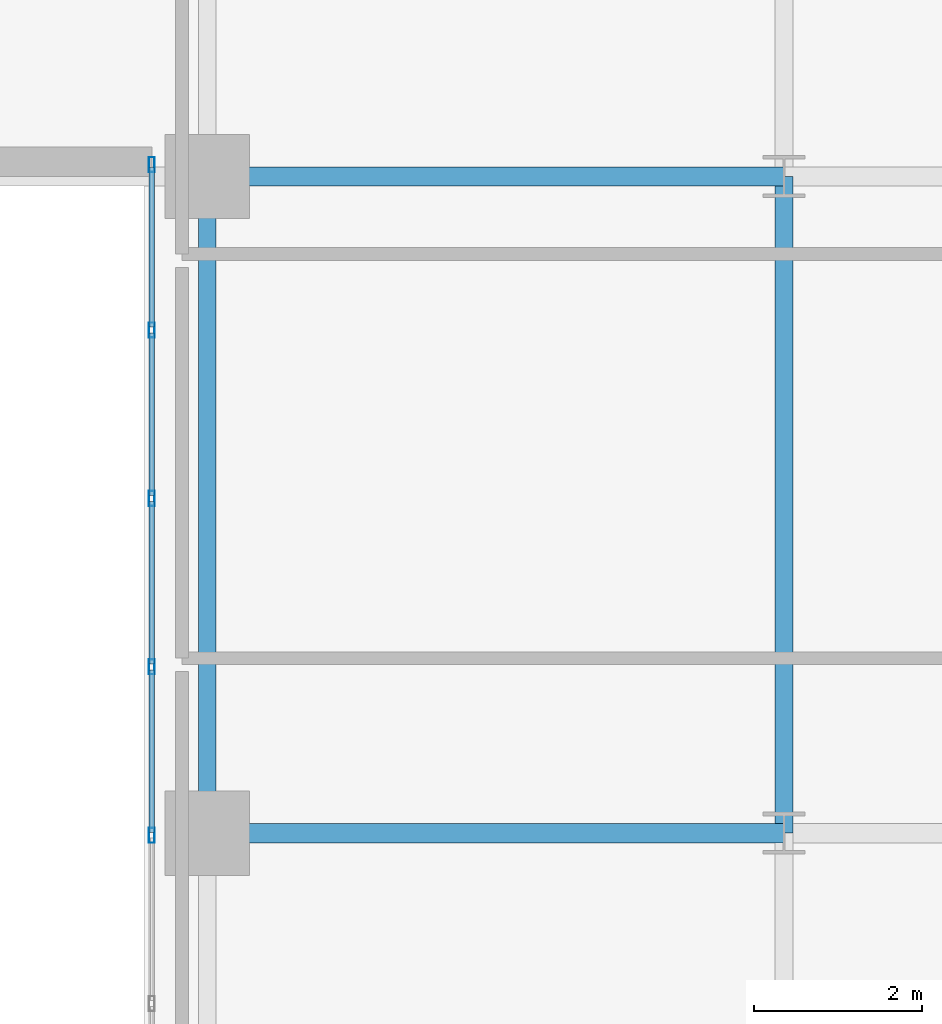
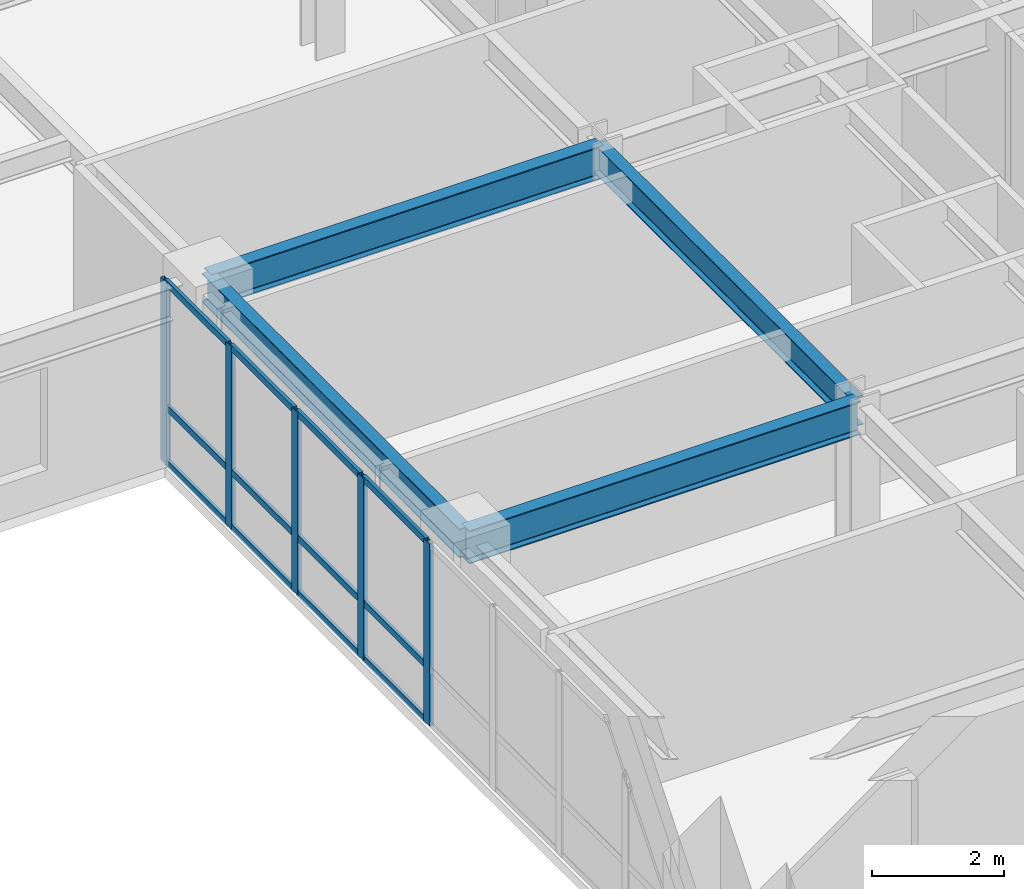
# One storey, part 7 of 17: 17 members, 4 beams, 1 element without a shape of its own.
"""IFC4 building model written with IfcOpenShell, lengths in metres."""

from ifc_helpers import new_model, si_unit, direction, frame, origin, origin_2d, place, context, subcontext, project, spatial, hollow_rectangle, i_section, extrude, source, transform, mapped, material, layer, layer_set, material_profile, profile_set, type_object, type_shapes, element, aggregate, save


model = new_model("IFC4")

# Units and contexts
model_context = context("Model", 3, precision=1e-05, world=origin(), true_north=direction((0.0, 1.0)))
body_context = subcontext(model_context, "Body", "Model", "MODEL_VIEW")
ifc_project = project(units=[si_unit("LENGTHUNIT", "METRE"), si_unit("AREAUNIT", "SQUARE_METRE"), si_unit("VOLUMEUNIT", "CUBIC_METRE"), si_unit("PLANEANGLEUNIT", "RADIAN"), si_unit("MASSUNIT", "GRAM", prefix="KILO")], contexts=[model_context])

# Site, building, storey
site_placement = place(None, origin())
site = spatial("IfcSite", under=ifc_project, at=site_placement, CompositionType="ELEMENT")
building_placement = place(site_placement, origin())
building = spatial("IfcBuilding", under=site, at=building_placement, Name="Tolvann Quenvar Hotel", CompositionType="ELEMENT")
storey_placement = place(building_placement, frame((0.0, 0.0, 42.64990234375)))
storey = spatial("IfcBuildingStorey", under=building, at=storey_placement, Name="L09", CompositionType="ELEMENT", Elevation=42.64990234375)

# Beams
ifc_material_1 = material(Name="Steel Grade 350", Category="steel")
ifc_material_profile_1 = material_profile(ifc_material_1, i_section(OverallWidth=0.22900390625, OverallDepth=0.612060546875, WebThickness=0.011962890625, FlangeThickness=0.01953125, FilletRadius=0.013916015625, at=origin_2d()), Name="610UB125")
ifc_profile_set_1 = profile_set([ifc_material_profile_1], Name="Steel Grade 350")
beam_type_1 = type_object("IfcBeamType", Name="BM_GIRD_610UB125", PredefinedType="BEAM", material=ifc_profile_set_1)
shared_shape_1 = source(origin(), body_context, "Body", "SweptSolid", [
    extrude(i_section(OverallWidth=0.22900390625, OverallDepth=0.612060546875, WebThickness=0.011962890625, FlangeThickness=0.01953125, FilletRadius=0.013916015625, at=origin_2d()), origin(), (0.0, 0.0, 1.0), 6.85009765625),
])
type_shapes(beam_type_1, [shared_shape_1])
for number, where, z_axis, x_axis, name in (
    (1, (34.949951171875, 8.199951171875, 3.064208984375), (1.0, 0.0, 0.0), (0.0, 1.0, 0.0), "BM-L09-EW-3-F3-H3"),
    (2, (34.949951171875, 16.0, 3.064208984375), (1.0, 0.0, 0.0), (0.0, 1.0, 0.0), "BM-L09-EW-4-F4-H4"),
):
    element("IfcBeam", number, at=place(storey_placement, frame(where, z_axis=z_axis, x_axis=x_axis)), inside=storey, type_object=beam_type_1, Name=name, PredefinedType="BEAM", context=body_context, shape_type="MappedRepresentation", body=[
        mapped(shared_shape_1, transform((0.0, 0.0, 0.0), x_axis=(1.0, 0.0, 0.0), y_axis=(0.0, 1.0, 0.0), z_axis=(0.0, 0.0, 1.0), scale=1.0)),
    ])
ifc_material_profile_2 = material_profile(ifc_material_1, i_section(OverallWidth=0.208984375, OverallDepth=0.532958984375, WebThickness=0.01025390625, FlangeThickness=0.015625, FilletRadius=0.013916015625, at=origin_2d()), Name="530UB92")
ifc_profile_set_2 = profile_set([ifc_material_profile_2], Name="Steel Grade 350")
beam_type_2 = type_object("IfcBeamType", Name="BM_GIRD_530UB92", PredefinedType="BEAM", material=ifc_profile_set_2)
shared_shape_2 = source(origin(), body_context, "Body", "SweptSolid", [
    extrude(i_section(OverallWidth=0.208984375, OverallDepth=0.532958984375, WebThickness=0.01025390625, FlangeThickness=0.015625, FilletRadius=0.013916015625, at=origin_2d()), origin(), (0.0, 0.0, 1.0), 7.800048828125),
])
type_shapes(beam_type_2, [shared_shape_2])
for number, where, z_axis, x_axis, name in (
    (3, (34.949951171875, 8.199951171875, 3.103515625), (0.0, 1.0, 0.0), (-1.0, 0.0, 0.0), "BM-L09-NS-F3-F4"),
    (4, (41.800048828125, 8.199951171875, 3.103515625), (0.0, 1.0, 0.0), (-1.0, 0.0, 0.0), "BM-L09-NS-H3-H4"),
):
    element("IfcBeam", number, at=place(storey_placement, frame(where, z_axis=z_axis, x_axis=x_axis)), inside=storey, type_object=beam_type_2, Name=name, PredefinedType="BEAM", context=body_context, shape_type="MappedRepresentation", body=[
        mapped(shared_shape_2, transform((0.0, 0.0, 0.0), x_axis=(1.0, 0.0, 0.0), y_axis=(0.0, 1.0, 0.0), z_axis=(0.0, 0.0, 1.0), scale=1.0)),
    ])

# Curtain wall, members
ifc_material_2 = material(Name="Thermally broken anodised architectural aluminium 6063-T6 and laminated low-E glass", Category="aluminium")
ifc_layer = layer(ifc_material_2, 0.179931640625)
ifc_layer_set = layer_set([ifc_layer], Name="Thermally broken anodised architectural aluminium 6063-T6 and laminated low-E glass")
curtain_wall_type = type_object("IfcCurtainWallType", Name="CW_SYS_SLOT_03", PredefinedType="USERDEFINED", material=ifc_layer_set)
curtain_wall_placement = place(storey_placement, origin())
curtain_wall = element("IfcCurtainWall", 5, at=curtain_wall_placement, inside=storey, type_object=curtain_wall_type, Name="Curtain Wall CW-SLOT-03 (CWR-L09-E07)", ObjectType="UNITISED CURTAIN WALL", PredefinedType="USERDEFINED")
ifc_material_3 = material(Name="Anodised architectural aluminium 6063-T6 framing", Category="aluminium")
ifc_material_profile_3 = material_profile(ifc_material_3, hollow_rectangle(XDim=0.070068359375, YDim=0.179931640625, WallThickness=0.00390625, at=origin_2d()), Name="180x70x4RHS")
ifc_profile_set_3 = profile_set([ifc_material_profile_3], Name="Anodised architectural aluminium 6063-T6 framing")
member_type_1 = type_object("IfcMemberType", Name="CW_MULL_180x70", PredefinedType="MULLION", material=ifc_profile_set_3)
shared_shape_3 = source(origin(), body_context, "Body", "SweptSolid", [
    extrude(hollow_rectangle(XDim=0.070068359375, YDim=0.179931640625, WallThickness=0.00390625, at=origin_2d()), origin(), (0.0, 0.0, 1.0), 3.3701171875),
])
type_shapes(member_type_1, [shared_shape_3])
member_1_placement = place(storey_placement, frame((34.2900390625, 16.139892578125, 0.0), z_axis=(0.0, 0.0, 1.0), x_axis=(1.0, 0.0, 0.0)))
member_1 = element("IfcMember", 6, at=member_1_placement, type_object=member_type_1, Name="CW-SLOT-03 mullion 1", PredefinedType="MULLION", context=body_context, shape_type="MappedRepresentation", body=[
    mapped(shared_shape_3, transform((0.0, 0.0, 0.0), x_axis=(1.0, 0.0, 0.0), y_axis=(0.0, 1.0, 0.0), z_axis=(0.0, 0.0, 1.0), scale=1.0)),
])
member_2_placement = place(storey_placement, frame((34.2900390625, 14.175048828125, 0.0), z_axis=(0.0, 0.0, 1.0), x_axis=(1.0, 0.0, 0.0)))
member_2 = element("IfcMember", 7, at=member_2_placement, type_object=member_type_1, Name="CW-SLOT-03 mullion 2", PredefinedType="MULLION", context=body_context, shape_type="MappedRepresentation", body=[
    mapped(shared_shape_3, transform((0.0, 0.0, 0.0), x_axis=(1.0, 0.0, 0.0), y_axis=(0.0, 1.0, 0.0), z_axis=(0.0, 0.0, 1.0), scale=1.0)),
])
member_3_placement = place(storey_placement, frame((34.2900390625, 12.175048828125, 0.0), z_axis=(0.0, 0.0, 1.0), x_axis=(1.0, 0.0, 0.0)))
member_3 = element("IfcMember", 8, at=member_3_placement, type_object=member_type_1, Name="CW-SLOT-03 mullion 3", PredefinedType="MULLION", context=body_context, shape_type="MappedRepresentation", body=[
    mapped(shared_shape_3, transform((0.0, 0.0, 0.0), x_axis=(1.0, 0.0, 0.0), y_axis=(0.0, 1.0, 0.0), z_axis=(0.0, 0.0, 1.0), scale=1.0)),
])
member_4_placement = place(storey_placement, frame((34.2900390625, 10.175048828125, 0.0), z_axis=(0.0, 0.0, 1.0), x_axis=(1.0, 0.0, 0.0)))
member_4 = element("IfcMember", 9, at=member_4_placement, type_object=member_type_1, Name="CW-SLOT-03 mullion 4", PredefinedType="MULLION", context=body_context, shape_type="MappedRepresentation", body=[
    mapped(shared_shape_3, transform((0.0, 0.0, 0.0), x_axis=(1.0, 0.0, 0.0), y_axis=(0.0, 1.0, 0.0), z_axis=(0.0, 0.0, 1.0), scale=1.0)),
])
member_5_placement = place(storey_placement, frame((34.2900390625, 8.175048828125, 0.0), z_axis=(0.0, 0.0, 1.0), x_axis=(1.0, 0.0, 0.0)))
member_5 = element("IfcMember", 10, at=member_5_placement, type_object=member_type_1, Name="CW-SLOT-03 mullion 5", PredefinedType="MULLION", context=body_context, shape_type="MappedRepresentation", body=[
    mapped(shared_shape_3, transform((0.0, 0.0, 0.0), x_axis=(1.0, 0.0, 0.0), y_axis=(0.0, 1.0, 0.0), z_axis=(0.0, 0.0, 1.0), scale=1.0)),
])
ifc_material_profile_4 = material_profile(ifc_material_3, hollow_rectangle(XDim=0.06005859375, YDim=0.1201171875, WallThickness=0.00341796875, at=origin_2d()), Name="120x60x3.5RHS")
ifc_profile_set_4 = profile_set([ifc_material_profile_4], Name="Anodised architectural aluminium 6063-T6 framing")
member_type_2 = type_object("IfcMemberType", Name="CW_TRAN_120x60", PredefinedType="USERDEFINED", material=ifc_profile_set_4)
shared_shape_4 = source(origin(), body_context, "Body", "SweptSolid", [
    extrude(hollow_rectangle(XDim=0.06005859375, YDim=0.1201171875, WallThickness=0.00341796875, at=origin_2d()), origin(), (0.0, 0.0, 1.0), 1.929931640625),
])
member_6_placement = place(storey_placement, frame((34.2900390625, 14.139892578125, 0.030029296875), z_axis=(0.0, -1.0, 0.0), x_axis=(1.0, 0.0, 0.0)))
member_6 = element("IfcMember", 11, at=member_6_placement, type_object=member_type_2, Name="CW-SLOT-03 transom 2.1", ObjectType="TRANSOM", PredefinedType="USERDEFINED", context=body_context, shape_type="MappedRepresentation", body=[
    mapped(shared_shape_4, transform((0.0, 0.0, 0.0), x_axis=(1.0, 0.0, 0.0), y_axis=(0.0, 1.0, 0.0), z_axis=(0.0, 0.0, 1.0), scale=1.0)),
])
member_7_placement = place(storey_placement, frame((34.2900390625, 14.139892578125, 1.050048828125), z_axis=(0.0, -1.0, 0.0), x_axis=(1.0, 0.0, 0.0)))
member_7 = element("IfcMember", 12, at=member_7_placement, type_object=member_type_2, Name="CW-SLOT-03 transom 2.2", ObjectType="TRANSOM", PredefinedType="USERDEFINED", context=body_context, shape_type="MappedRepresentation", body=[
    mapped(shared_shape_4, transform((0.0, 0.0, 0.0), x_axis=(1.0, 0.0, 0.0), y_axis=(0.0, 1.0, 0.0), z_axis=(0.0, 0.0, 1.0), scale=1.0)),
])
member_8_placement = place(storey_placement, frame((34.2900390625, 14.139892578125, 3.340087890625), z_axis=(0.0, -1.0, 0.0), x_axis=(1.0, 0.0, 0.0)))
member_8 = element("IfcMember", 13, at=member_8_placement, type_object=member_type_2, Name="CW-SLOT-03 transom 2.3", ObjectType="TRANSOM", PredefinedType="USERDEFINED", context=body_context, shape_type="MappedRepresentation", body=[
    mapped(shared_shape_4, transform((0.0, 0.0, 0.0), x_axis=(1.0, 0.0, 0.0), y_axis=(0.0, 1.0, 0.0), z_axis=(0.0, 0.0, 1.0), scale=1.0)),
])
member_9_placement = place(storey_placement, frame((34.2900390625, 12.139892578125, 0.030029296875), z_axis=(0.0, -1.0, 0.0), x_axis=(1.0, 0.0, 0.0)))
member_9 = element("IfcMember", 14, at=member_9_placement, type_object=member_type_2, Name="CW-SLOT-03 transom 3.1", ObjectType="TRANSOM", PredefinedType="USERDEFINED", context=body_context, shape_type="MappedRepresentation", body=[
    mapped(shared_shape_4, transform((0.0, 0.0, 0.0), x_axis=(1.0, 0.0, 0.0), y_axis=(0.0, 1.0, 0.0), z_axis=(0.0, 0.0, 1.0), scale=1.0)),
])
member_10_placement = place(storey_placement, frame((34.2900390625, 12.139892578125, 1.050048828125), z_axis=(0.0, -1.0, 0.0), x_axis=(1.0, 0.0, 0.0)))
member_10 = element("IfcMember", 15, at=member_10_placement, type_object=member_type_2, Name="CW-SLOT-03 transom 3.2", ObjectType="TRANSOM", PredefinedType="USERDEFINED", context=body_context, shape_type="MappedRepresentation", body=[
    mapped(shared_shape_4, transform((0.0, 0.0, 0.0), x_axis=(1.0, 0.0, 0.0), y_axis=(0.0, 1.0, 0.0), z_axis=(0.0, 0.0, 1.0), scale=1.0)),
])
member_11_placement = place(storey_placement, frame((34.2900390625, 12.139892578125, 3.340087890625), z_axis=(0.0, -1.0, 0.0), x_axis=(1.0, 0.0, 0.0)))
member_11 = element("IfcMember", 16, at=member_11_placement, type_object=member_type_2, Name="CW-SLOT-03 transom 3.3", ObjectType="TRANSOM", PredefinedType="USERDEFINED", context=body_context, shape_type="MappedRepresentation", body=[
    mapped(shared_shape_4, transform((0.0, 0.0, 0.0), x_axis=(1.0, 0.0, 0.0), y_axis=(0.0, 1.0, 0.0), z_axis=(0.0, 0.0, 1.0), scale=1.0)),
])
member_12_placement = place(storey_placement, frame((34.2900390625, 10.139892578125, 0.030029296875), z_axis=(0.0, -1.0, 0.0), x_axis=(1.0, 0.0, 0.0)))
member_12 = element("IfcMember", 17, at=member_12_placement, type_object=member_type_2, Name="CW-SLOT-03 transom 4.1", ObjectType="TRANSOM", PredefinedType="USERDEFINED", context=body_context, shape_type="MappedRepresentation", body=[
    mapped(shared_shape_4, transform((0.0, 0.0, 0.0), x_axis=(1.0, 0.0, 0.0), y_axis=(0.0, 1.0, 0.0), z_axis=(0.0, 0.0, 1.0), scale=1.0)),
])
member_13_placement = place(storey_placement, frame((34.2900390625, 10.139892578125, 1.050048828125), z_axis=(0.0, -1.0, 0.0), x_axis=(1.0, 0.0, 0.0)))
member_13 = element("IfcMember", 18, at=member_13_placement, type_object=member_type_2, Name="CW-SLOT-03 transom 4.2", ObjectType="TRANSOM", PredefinedType="USERDEFINED", context=body_context, shape_type="MappedRepresentation", body=[
    mapped(shared_shape_4, transform((0.0, 0.0, 0.0), x_axis=(1.0, 0.0, 0.0), y_axis=(0.0, 1.0, 0.0), z_axis=(0.0, 0.0, 1.0), scale=1.0)),
])
member_14_placement = place(storey_placement, frame((34.2900390625, 10.139892578125, 3.340087890625), z_axis=(0.0, -1.0, 0.0), x_axis=(1.0, 0.0, 0.0)))
member_14 = element("IfcMember", 19, at=member_14_placement, type_object=member_type_2, Name="CW-SLOT-03 transom 4.3", ObjectType="TRANSOM", PredefinedType="USERDEFINED", context=body_context, shape_type="MappedRepresentation", body=[
    mapped(shared_shape_4, transform((0.0, 0.0, 0.0), x_axis=(1.0, 0.0, 0.0), y_axis=(0.0, 1.0, 0.0), z_axis=(0.0, 0.0, 1.0), scale=1.0)),
])
shared_shape_5 = source(origin(), body_context, "Body", "SweptSolid", [
    extrude(hollow_rectangle(XDim=0.06005859375, YDim=0.1201171875, WallThickness=0.00341796875, at=origin_2d()), origin(), (0.0, 0.0, 1.0), 1.89501953125),
])
type_shapes(member_type_2, [shared_shape_4, shared_shape_5])
member_15_placement = place(storey_placement, frame((34.2900390625, 16.10498046875, 0.030029296875), z_axis=(0.0, -1.0, 0.0), x_axis=(1.0, 0.0, 0.0)))
member_15 = element("IfcMember", 20, at=member_15_placement, type_object=member_type_2, Name="CW-SLOT-03 transom 1.1", ObjectType="TRANSOM", PredefinedType="USERDEFINED", context=body_context, shape_type="MappedRepresentation", body=[
    mapped(shared_shape_5, transform((0.0, 0.0, 0.0), x_axis=(1.0, 0.0, 0.0), y_axis=(0.0, 1.0, 0.0), z_axis=(0.0, 0.0, 1.0), scale=1.0)),
])
member_16_placement = place(storey_placement, frame((34.2900390625, 16.10498046875, 1.050048828125), z_axis=(0.0, -1.0, 0.0), x_axis=(1.0, 0.0, 0.0)))
member_16 = element("IfcMember", 21, at=member_16_placement, type_object=member_type_2, Name="CW-SLOT-03 transom 1.2", ObjectType="TRANSOM", PredefinedType="USERDEFINED", context=body_context, shape_type="MappedRepresentation", body=[
    mapped(shared_shape_5, transform((0.0, 0.0, 0.0), x_axis=(1.0, 0.0, 0.0), y_axis=(0.0, 1.0, 0.0), z_axis=(0.0, 0.0, 1.0), scale=1.0)),
])
member_17_placement = place(storey_placement, frame((34.2900390625, 16.10498046875, 3.340087890625), z_axis=(0.0, -1.0, 0.0), x_axis=(1.0, 0.0, 0.0)))
member_17 = element("IfcMember", 22, at=member_17_placement, type_object=member_type_2, Name="CW-SLOT-03 transom 1.3", ObjectType="TRANSOM", PredefinedType="USERDEFINED", context=body_context, shape_type="MappedRepresentation", body=[
    mapped(shared_shape_5, transform((0.0, 0.0, 0.0), x_axis=(1.0, 0.0, 0.0), y_axis=(0.0, 1.0, 0.0), z_axis=(0.0, 0.0, 1.0), scale=1.0)),
])
aggregate(curtain_wall, [member_1, member_2, member_3, member_4, member_5, member_15, member_16, member_17, member_6, member_7, member_8, member_9, member_10, member_11, member_12, member_13, member_14])

save(model, "model.ifc")
